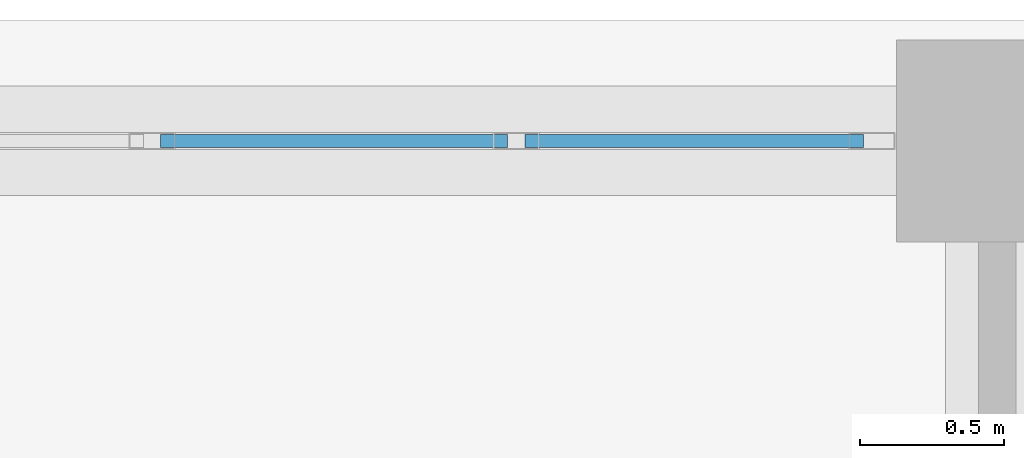
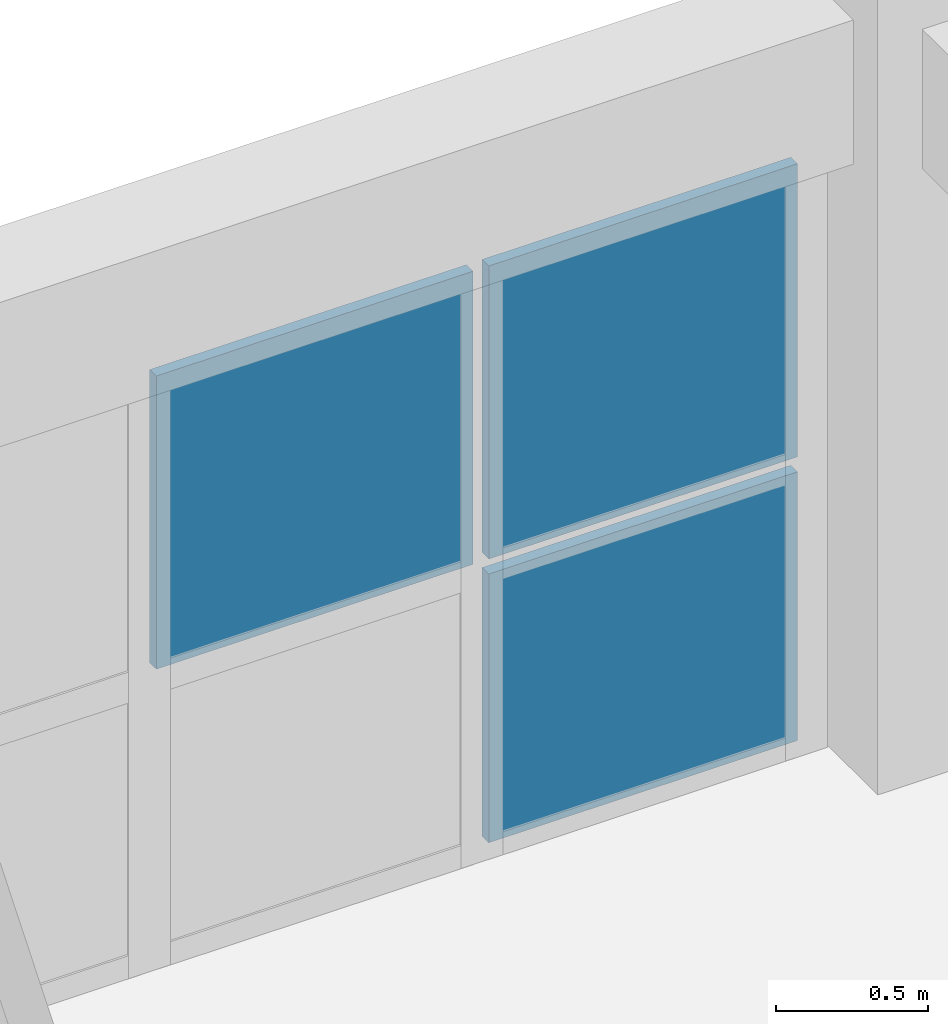
# One storey, part 107 of 148: 3 plates, 1 element without a shape of its own.
"""IFC4 building model written with IfcOpenShell, lengths in metres."""

from ifc_helpers import new_model, si_unit, direction, frame, origin, origin_2d, place, context, subcontext, project, spatial, rectangle, extrude, material, layer, layer_set, type_object, element, aggregate, save


model = new_model("IFC4")

# Units and contexts
model_context = context("Model", 3, precision=1e-05, world=origin(), true_north=direction((0.0, 1.0)))
body_context = subcontext(model_context, "Body", "Model", "MODEL_VIEW")
ifc_project = project(units=[si_unit("LENGTHUNIT", "METRE"), si_unit("AREAUNIT", "SQUARE_METRE"), si_unit("VOLUMEUNIT", "CUBIC_METRE"), si_unit("PLANEANGLEUNIT", "RADIAN"), si_unit("MASSUNIT", "GRAM", prefix="KILO")], contexts=[model_context])

# Site, building, storey
site_placement = place(None, origin())
site = spatial("IfcSite", under=ifc_project, at=site_placement, CompositionType="ELEMENT")
building_placement = place(site_placement, origin())
building = spatial("IfcBuilding", under=site, at=building_placement, Name="Trelvath General Hospital", CompositionType="ELEMENT")
storey_placement = place(building_placement, frame((0.0, 0.0, 12.89990234375)))
storey = spatial("IfcBuildingStorey", under=building, at=storey_placement, Name="L03", CompositionType="ELEMENT", Elevation=12.89990234375)

# Curtain wall, plates
ifc_material_1 = material(Name="Anodised aluminium and low-E glass", Category="aluminium")
ifc_layer_1 = layer(ifc_material_1, 0.159912109375)
ifc_layer_set_1 = layer_set([ifc_layer_1], Name="Anodised aluminium and low-E glass")
curtain_wall_type = type_object("IfcCurtainWallType", Name="CW Facade 759 244 16", PredefinedType="USERDEFINED", material=ifc_layer_set_1)
curtain_wall_placement = place(storey_placement, origin())
curtain_wall = element("IfcCurtainWall", 1, at=curtain_wall_placement, inside=storey, type_object=curtain_wall_type, Name="Facade Curtain Wall CW-061", ObjectType="Unitised Glazed Curtain Wall", PredefinedType="USERDEFINED")
ifc_material_2 = material(Name="Insulated aluminium spandrel", Category="aluminium")
ifc_layer_2 = layer(ifc_material_2, 0.0439453125)
ifc_layer_set_2 = layer_set([ifc_layer_2], Name="Insulated aluminium spandrel")
plate_type = type_object("IfcPlateType", Name="CurtainPanel Spandrel44", PredefinedType="CURTAIN_PANEL", material=ifc_layer_set_2)
plate_1_placement = place(storey_placement, frame((98.49755859375, 117.60009765625, 1.201171875), z_axis=(0.0, 0.0, 1.0), x_axis=(1.0, 0.0, 0.0)))
plate_1 = element("IfcPlate", 2, at=plate_1_placement, type_object=plate_type, Name="CW-061 panel 5.2", PredefinedType="CURTAIN_PANEL", context=body_context, shape_type="SweptSolid", body=[
    extrude(rectangle(XDim=1.205078125, YDim=0.0439453125, at=origin_2d()), origin(), (0.0, 0.0, 1.0), 1.178955078125),
])
plate_2_placement = place(storey_placement, frame((99.74755859375, 117.60009765625, 0.06005859375), z_axis=(0.0, 0.0, 1.0), x_axis=(1.0, 0.0, 0.0)))
plate_2 = element("IfcPlate", 3, at=plate_2_placement, type_object=plate_type, Name="CW-061 panel 6.1", PredefinedType="CURTAIN_PANEL", context=body_context, shape_type="SweptSolid", body=[
    extrude(rectangle(XDim=1.175048828125, YDim=0.0439453125, at=origin_2d()), origin(), (0.0, 0.0, 1.0), 1.0810546875),
])
plate_3_placement = place(storey_placement, frame((99.74755859375, 117.60009765625, 1.201171875), z_axis=(0.0, 0.0, 1.0), x_axis=(1.0, 0.0, 0.0)))
plate_3 = element("IfcPlate", 4, at=plate_3_placement, type_object=plate_type, Name="CW-061 panel 6.2", PredefinedType="CURTAIN_PANEL", context=body_context, shape_type="SweptSolid", body=[
    extrude(rectangle(XDim=1.175048828125, YDim=0.0439453125, at=origin_2d()), origin(), (0.0, 0.0, 1.0), 1.178955078125),
])
aggregate(curtain_wall, [plate_1, plate_2, plate_3])

save(model, "model.ifc")
